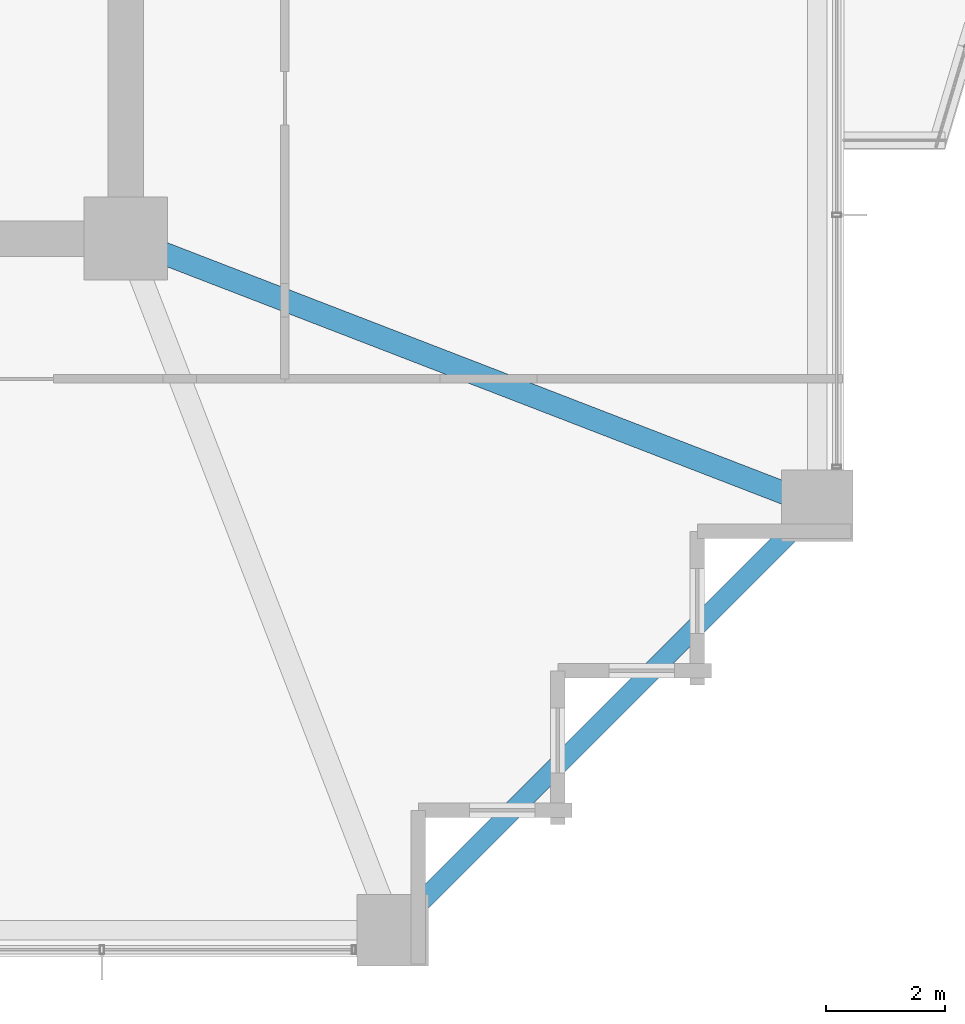
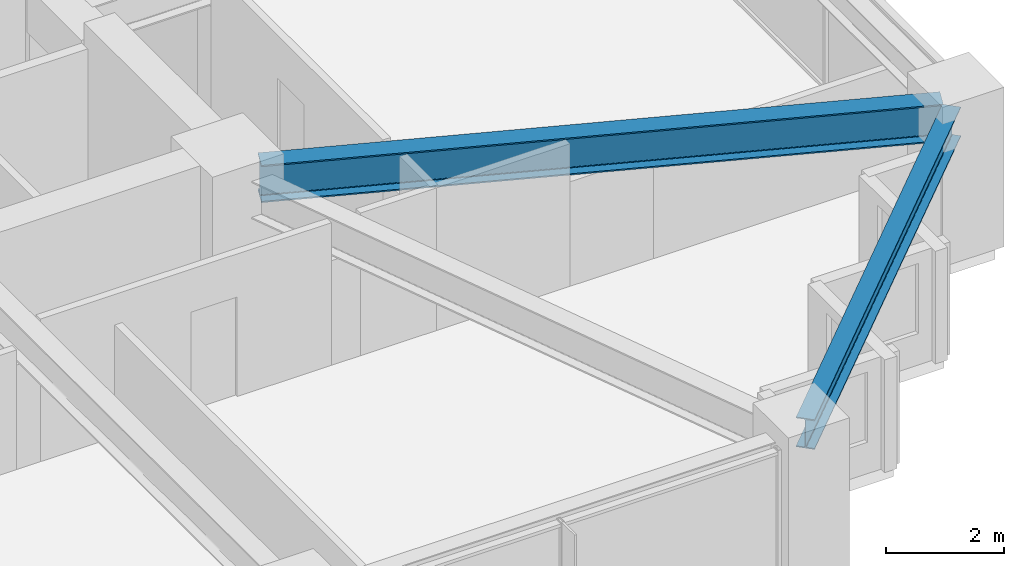
# One storey, part 12 of 38: 2 beams.
"""IFC4 building model written with IfcOpenShell, lengths in metres."""

import ifcopenshell
import ifcopenshell.guid

model = None  # the IFC model being written
_history = None  # IfcOwnerHistory: only IFC2X3 demands one
_inside = {}  # id of a spatial element -> (the spatial element, [elements in it])
_under = {}  # id of a project, library or spatial element -> (it, [spatial elements below it])
_declared = {}  # id of a project -> (the project, [libraries it declares])
_typed = {}  # id of a type object -> (the type object, [elements of that type])
_made_of = {}  # id of a material, layer set ... -> (it, [elements and type objects made of it])


def new_model(schema):
    """Start an empty IFC model of exactly this schema.

    Asked for "IFC4X3", IfcOpenShell would pick the latest addendum, in which some entities
    have other attributes; the version numbers below select the first issue.
    IFC2X3 requires an IfcOwnerHistory on every rooted entity: one is made here for all.
    """
    global model, _history
    if schema == "IFC4X3":
        model = ifcopenshell.file(schema_version=(4, 3, 0, 0))
    else:
        model = ifcopenshell.file(schema=schema)
    _inside.clear()
    _under.clear()
    _declared.clear()
    _typed.clear()
    _made_of.clear()
    _history = None
    if model.schema == "IFC2X3":
        org = make("IfcOrganization", Name="unknown")
        user = make(
            "IfcPersonAndOrganization",
            ThePerson=make("IfcPerson", FamilyName="unknown"),
            TheOrganization=org,
        )
        app = make(
            "IfcApplication",
            ApplicationDeveloper=org,
            Version="unknown",
            ApplicationFullName="unknown",
            ApplicationIdentifier="unknown",
        )
        _history = make(
            "IfcOwnerHistory",
            OwningUser=user,
            OwningApplication=app,
            ChangeAction="ADDED",
            CreationDate=0,
        )
    return model


def make(cls, **values):
    """One entity of the class cls with the attributes given. An attribute that is None is left unset."""
    return model.create_entity(
        cls, **{name: value for name, value in values.items() if value is not None}
    )


def rooted(cls, **values):
    """An entity with a GlobalId (a new one), such as an element, a storey or a relation."""
    return make(cls, GlobalId=ifcopenshell.guid.new(), OwnerHistory=_history, **values)


def si_unit(unit_type, name, prefix=None):
    """IfcSIUnit, for example si_unit("LENGTHUNIT", "METRE", prefix="MILLI")."""
    return make("IfcSIUnit", UnitType=unit_type, Prefix=prefix, Name=name)


def assignment(units):
    """IfcUnitAssignment: the units of a project."""
    return None if units is None else make("IfcUnitAssignment", Units=units)


def point(xyz):
    """IfcCartesianPoint."""
    return None if xyz is None else make("IfcCartesianPoint", Coordinates=xyz)


def direction(xyz):
    """IfcDirection."""
    return None if xyz is None else make("IfcDirection", DirectionRatios=xyz)


def frame(location, z_axis=None, x_axis=None):
    """IfcAxis2Placement3D, a coordinate frame: its origin and axes. An axis left out is left unset."""
    return make(
        "IfcAxis2Placement3D",
        Location=point(location),
        Axis=direction(z_axis),
        RefDirection=direction(x_axis),
    )


def frame_2d(location, x_axis=None):
    """IfcAxis2Placement2D, a coordinate frame in the plane: its origin and x axis."""
    return make(
        "IfcAxis2Placement2D", Location=point(location), RefDirection=direction(x_axis)
    )


def origin():
    """The frame at (0, 0, 0) with its axes left unset."""
    return frame((0.0, 0.0, 0.0))


def origin_2d():
    """The frame at (0, 0) in the plane with its x axis left unset."""
    return frame_2d((0.0, 0.0))


def place(relative_to, where):
    """IfcLocalPlacement: puts the frame where relative to a parent placement (None: the world)."""
    return make(
        "IfcLocalPlacement", PlacementRelTo=relative_to, RelativePlacement=where
    )


def context(
    kind, dimensions, precision=None, world=None, true_north=None, identifier=None
):
    """IfcGeometricRepresentationContext, for example the 3D "Model" context."""
    return make(
        "IfcGeometricRepresentationContext",
        ContextIdentifier=identifier,
        ContextType=kind,
        CoordinateSpaceDimension=dimensions,
        Precision=precision,
        WorldCoordinateSystem=world,
        TrueNorth=true_north,
    )


def subcontext(parent, identifier, kind, view, scale=None):
    """IfcGeometricRepresentationSubContext, for example "Body" below "Model"."""
    return make(
        "IfcGeometricRepresentationSubContext",
        ContextIdentifier=identifier,
        ContextType=kind,
        ParentContext=parent,
        TargetScale=scale,
        TargetView=view,
    )


def project(units=None, contexts=None):
    """IfcProject with its units and contexts."""
    return rooted(
        "IfcProject",
        Name="project",
        RepresentationContexts=contexts,
        UnitsInContext=assignment(units),
    )


def spatial(cls, under=None, at=None, **own):
    """A site, building, storey or space (cls), placed at a placement, below another one or the project."""
    s = rooted(cls, ObjectPlacement=at, **own)
    if under is not None:
        _under.setdefault(under.id(), (under, []))[1].append(s)
    return s


def profile(cls, at=None, kind="AREA", **sizes):
    """A parametric profile (cls). Its sizes go by their IFC names, for example OverallWidth=200.0."""
    return make(cls, ProfileType=kind, Position=at, **sizes)


def i_section(**sizes):
    """IfcIShapeProfileDef."""
    return profile("IfcIShapeProfileDef", **sizes)


def extrude(swept, where, along, depth):
    """IfcExtrudedAreaSolid: the profile swept, set in the frame where, extruded along a direction by depth."""
    return make(
        "IfcExtrudedAreaSolid",
        SweptArea=swept,
        Position=where,
        ExtrudedDirection=direction(along),
        Depth=depth,
    )


def shape(context_of_items, identifier, shape_type, items):
    """IfcShapeRepresentation: the items that make up one representation, for example the "Body"."""
    return make(
        "IfcShapeRepresentation",
        ContextOfItems=context_of_items,
        RepresentationIdentifier=identifier,
        RepresentationType=shape_type,
        Items=items,
    )


def material(Name=None, Category=None):
    """IfcMaterial."""
    return make("IfcMaterial", Name=Name, Category=Category)


def material_profile(
    of_material, cross_section, Name=None, Category=None, Priority=None
):
    """IfcMaterialProfile: a cross section and its material."""
    return make(
        "IfcMaterialProfile",
        Name=Name,
        Material=of_material,
        Profile=cross_section,
        Priority=Priority,
        Category=Category,
    )


def profile_set(profiles, Name=None, composite=None):
    """IfcMaterialProfileSet."""
    return make(
        "IfcMaterialProfileSet",
        Name=Name,
        MaterialProfiles=profiles,
        CompositeProfile=composite,
    )


def made_of(thing, what):
    """Note that an element or type object is made of a material, layer set ...; save() writes the relation."""
    if what is not None:
        _made_of.setdefault(what.id(), (what, []))[1].append(thing)
    return thing


def type_object(cls, material=None, **own):
    """A type object (cls), such as IfcWallType, which elements share."""
    return made_of(rooted(cls, **own), material)


def element(
    cls,
    number,
    at=None,
    inside=None,
    cuts=None,
    type_object=None,
    material=None,
    context=None,
    identifier="Body",
    shape_type=None,
    held_by="IfcProductDefinitionShape",
    body=None,
    shapes=None,
    **own,
):
    """One element of the class cls, such as IfcWall. Its Tag is "e" and its number.

    at: its placement. inside: the storey or other place that contains it. cuts: it is an
    opening in that element (IfcRelVoidsElement). A single representation is given by context,
    identifier, shape_type and body (its items); several are given by shapes. held_by: the class
    of the entity that holds the representations. save() writes the other relations.
    """
    e = rooted(cls, Tag="e%d" % number, ObjectPlacement=at, **own)
    if body is not None:
        shapes = [shape(context, identifier, shape_type, body)]
    if shapes is not None:
        e.Representation = make(held_by, Representations=shapes)
    if inside is not None:
        _inside.setdefault(inside.id(), (inside, []))[1].append(e)
    if cuts is not None:
        rooted(
            "IfcRelVoidsElement", RelatingBuildingElement=cuts, RelatedOpeningElement=e
        )
    if type_object is not None:
        _typed.setdefault(type_object.id(), (type_object, []))[1].append(e)
    return made_of(e, material)


def aggregate(whole, parts):
    """IfcRelAggregates: a whole, such as a stair, and the parts it consists of."""
    return rooted("IfcRelAggregates", RelatingObject=whole, RelatedObjects=parts)


def save(model, path):
    """Write the relations noted so far, then the file.

    IfcRelAggregates (storeys below a building ...), IfcRelContainedInSpatialStructure (elements
    in a storey), IfcRelDefinesByType, IfcRelAssociatesMaterial and IfcRelDeclares: one each for
    every whole, place, type object, material and project.
    """
    for whole, parts in _under.values():
        aggregate(whole, parts)
    for where, things in _inside.values():
        rooted(
            "IfcRelContainedInSpatialStructure",
            RelatedElements=things,
            RelatingStructure=where,
        )
    for kind, things in _typed.values():
        rooted("IfcRelDefinesByType", RelatedObjects=things, RelatingType=kind)
    for what, things in _made_of.values():
        rooted("IfcRelAssociatesMaterial", RelatedObjects=things, RelatingMaterial=what)
    for by, libraries in _declared.values():
        rooted("IfcRelDeclares", RelatingContext=by, RelatedDefinitions=libraries)
    model.write(path)


model = new_model("IFC4")

# Units and contexts
model_context = context("Model", 3, precision=1e-05, world=origin(), true_north=direction((0.0, 1.0)))
body_context = subcontext(model_context, "Body", "Model", "MODEL_VIEW")
ifc_project = project(units=[si_unit("LENGTHUNIT", "METRE"), si_unit("AREAUNIT", "SQUARE_METRE"), si_unit("VOLUMEUNIT", "CUBIC_METRE"), si_unit("PLANEANGLEUNIT", "RADIAN"), si_unit("MASSUNIT", "GRAM", prefix="KILO")], contexts=[model_context])

# Site, building, storey
site_placement = place(None, origin())
site = spatial("IfcSite", under=ifc_project, at=site_placement, CompositionType="ELEMENT")
building_placement = place(site_placement, origin())
building = spatial("IfcBuilding", under=site, at=building_placement, Name="Kolvaren Belvedere", CompositionType="ELEMENT")
storey_placement = place(building_placement, frame((0.0, 0.0, 60.10009765625)))
storey = spatial("IfcBuildingStorey", under=building, at=storey_placement, Name="L17", CompositionType="ELEMENT", Elevation=60.10009765625)

# Beams
ifc_material_1 = material(Name="Structural steel ASTM A992 Grade 50", Category="steel")
ifc_material_profile_1 = material_profile(ifc_material_1, i_section(OverallWidth=0.381103515625, OverallDepth=0.77294921875, WebThickness=0.0166015625, FlangeThickness=0.027099609375, FilletRadius=0.02392578125, at=origin_2d()), Name="W30X173")
ifc_profile_set_1 = profile_set([ifc_material_profile_1], Name="Structural steel ASTM A992 Grade 50")
beam_type_1 = type_object("IfcBeamType", Name="BM-GIRD-W30X173", PredefinedType="BEAM", material=ifc_profile_set_1)
beam_1_placement = place(storey_placement, frame((10.4130859375, -10.09814453125, 2.5634765625), z_axis=(0.932829382313, -0.360318391835, 0.0), x_axis=(0.360318391835, 0.932829382313, 0.0)))
element("IfcBeam", 1, at=beam_1_placement, inside=storey, type_object=beam_type_1, Name="L17 Corner Core-to-Perimeter Girder CC2-E1", PredefinedType="BEAM", context=body_context, shape_type="SweptSolid", body=[
    extrude(i_section(OverallWidth=0.381103515625, OverallDepth=0.77294921875, WebThickness=0.0166015625, FlangeThickness=0.027099609375, FilletRadius=0.02392578125, at=origin_2d()), origin(), (0.0, 0.0, 1.0), 11.698974609375),
])
ifc_material_2 = material(Name="Structural steel ASTM A992 Grade 50", Category="steel")
ifc_material_profile_2 = material_profile(ifc_material_2, i_section(OverallWidth=0.324951171875, OverallDepth=0.615966796875, WebThickness=0.013916015625, FlangeThickness=0.021484375, FilletRadius=0.02001953125, at=origin_2d()), Name="W24X117")
ifc_profile_set_2 = profile_set([ifc_material_profile_2], Name="Structural steel ASTM A992 Grade 50")
beam_type_2 = type_object("IfcBeamType", Name="BM-SPAN-W24X117", PredefinedType="SPANDREL", material=ifc_profile_set_2)
beam_2_placement = place(storey_placement, frame((14.5908203125, -21.359130859375, 2.641845703125), z_axis=(0.707106781187, 0.707106781187, 0.0), x_axis=(-0.707106781187, 0.707106781187, 0.0)))
element("IfcBeam", 2, at=beam_2_placement, inside=storey, type_object=beam_type_2, Name="L17 Perimeter Spandrel S4-E1", PredefinedType="SPANDREL", context=body_context, shape_type="SweptSolid", body=[
    extrude(i_section(OverallWidth=0.324951171875, OverallDepth=0.615966796875, WebThickness=0.013916015625, FlangeThickness=0.021484375, FilletRadius=0.02001953125, at=origin_2d()), origin(), (0.0, 0.0, 1.0), 9.57177734375),
])

save(model, "model.ifc")
